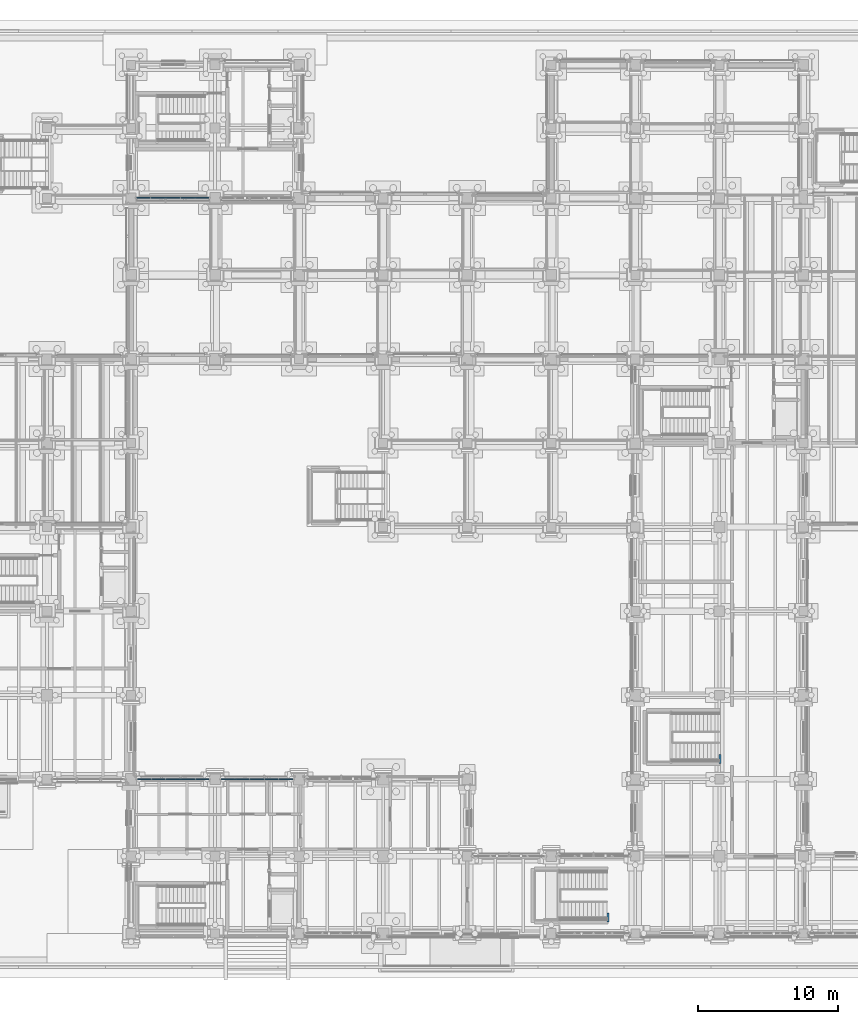
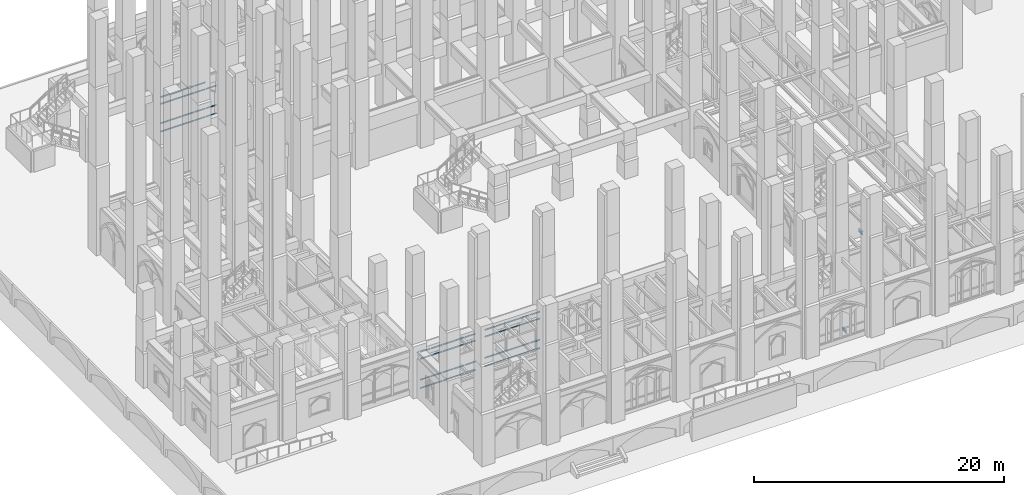
# One storey, part 49 of 135: 59 members, 2 beams, 3 elements without a shape of their own.
"""IFC4 building model written with IfcOpenShell, lengths in metres."""

import ifcopenshell
import ifcopenshell.guid

model = None  # the IFC model being written
_history = None  # IfcOwnerHistory: only IFC2X3 demands one
_inside = {}  # id of a spatial element -> (the spatial element, [elements in it])
_under = {}  # id of a project, library or spatial element -> (it, [spatial elements below it])
_declared = {}  # id of a project -> (the project, [libraries it declares])
_typed = {}  # id of a type object -> (the type object, [elements of that type])
_made_of = {}  # id of a material, layer set ... -> (it, [elements and type objects made of it])


def new_model(schema):
    """Start an empty IFC model of exactly this schema.

    Asked for "IFC4X3", IfcOpenShell would pick the latest addendum, in which some entities
    have other attributes; the version numbers below select the first issue.
    IFC2X3 requires an IfcOwnerHistory on every rooted entity: one is made here for all.
    """
    global model, _history
    if schema == "IFC4X3":
        model = ifcopenshell.file(schema_version=(4, 3, 0, 0))
    else:
        model = ifcopenshell.file(schema=schema)
    _inside.clear()
    _under.clear()
    _declared.clear()
    _typed.clear()
    _made_of.clear()
    _history = None
    if model.schema == "IFC2X3":
        org = make("IfcOrganization", Name="unknown")
        user = make(
            "IfcPersonAndOrganization",
            ThePerson=make("IfcPerson", FamilyName="unknown"),
            TheOrganization=org,
        )
        app = make(
            "IfcApplication",
            ApplicationDeveloper=org,
            Version="unknown",
            ApplicationFullName="unknown",
            ApplicationIdentifier="unknown",
        )
        _history = make(
            "IfcOwnerHistory",
            OwningUser=user,
            OwningApplication=app,
            ChangeAction="ADDED",
            CreationDate=0,
        )
    return model


def make(cls, **values):
    """One entity of the class cls with the attributes given. An attribute that is None is left unset."""
    return model.create_entity(
        cls, **{name: value for name, value in values.items() if value is not None}
    )


def rooted(cls, **values):
    """An entity with a GlobalId (a new one), such as an element, a storey or a relation."""
    return make(cls, GlobalId=ifcopenshell.guid.new(), OwnerHistory=_history, **values)


def si_unit(unit_type, name, prefix=None):
    """IfcSIUnit, for example si_unit("LENGTHUNIT", "METRE", prefix="MILLI")."""
    return make("IfcSIUnit", UnitType=unit_type, Prefix=prefix, Name=name)


def assignment(units):
    """IfcUnitAssignment: the units of a project."""
    return None if units is None else make("IfcUnitAssignment", Units=units)


def point(xyz):
    """IfcCartesianPoint."""
    return None if xyz is None else make("IfcCartesianPoint", Coordinates=xyz)


def direction(xyz):
    """IfcDirection."""
    return None if xyz is None else make("IfcDirection", DirectionRatios=xyz)


def frame(location, z_axis=None, x_axis=None):
    """IfcAxis2Placement3D, a coordinate frame: its origin and axes. An axis left out is left unset."""
    return make(
        "IfcAxis2Placement3D",
        Location=point(location),
        Axis=direction(z_axis),
        RefDirection=direction(x_axis),
    )


def frame_2d(location, x_axis=None):
    """IfcAxis2Placement2D, a coordinate frame in the plane: its origin and x axis."""
    return make(
        "IfcAxis2Placement2D", Location=point(location), RefDirection=direction(x_axis)
    )


def origin():
    """The frame at (0, 0, 0) with its axes left unset."""
    return frame((0.0, 0.0, 0.0))


def origin_2d():
    """The frame at (0, 0) in the plane with its x axis left unset."""
    return frame_2d((0.0, 0.0))


def place(relative_to, where):
    """IfcLocalPlacement: puts the frame where relative to a parent placement (None: the world)."""
    return make(
        "IfcLocalPlacement", PlacementRelTo=relative_to, RelativePlacement=where
    )


def context(
    kind, dimensions, precision=None, world=None, true_north=None, identifier=None
):
    """IfcGeometricRepresentationContext, for example the 3D "Model" context."""
    return make(
        "IfcGeometricRepresentationContext",
        ContextIdentifier=identifier,
        ContextType=kind,
        CoordinateSpaceDimension=dimensions,
        Precision=precision,
        WorldCoordinateSystem=world,
        TrueNorth=true_north,
    )


def subcontext(parent, identifier, kind, view, scale=None):
    """IfcGeometricRepresentationSubContext, for example "Body" below "Model"."""
    return make(
        "IfcGeometricRepresentationSubContext",
        ContextIdentifier=identifier,
        ContextType=kind,
        ParentContext=parent,
        TargetScale=scale,
        TargetView=view,
    )


def project(units=None, contexts=None):
    """IfcProject with its units and contexts."""
    return rooted(
        "IfcProject",
        Name="project",
        RepresentationContexts=contexts,
        UnitsInContext=assignment(units),
    )


def spatial(cls, under=None, at=None, **own):
    """A site, building, storey or space (cls), placed at a placement, below another one or the project."""
    s = rooted(cls, ObjectPlacement=at, **own)
    if under is not None:
        _under.setdefault(under.id(), (under, []))[1].append(s)
    return s


def profile(cls, at=None, kind="AREA", **sizes):
    """A parametric profile (cls). Its sizes go by their IFC names, for example OverallWidth=200.0."""
    return make(cls, ProfileType=kind, Position=at, **sizes)


def hollow_rectangle(**sizes):
    """IfcRectangleHollowProfileDef."""
    return profile("IfcRectangleHollowProfileDef", **sizes)


def i_section(**sizes):
    """IfcIShapeProfileDef."""
    return profile("IfcIShapeProfileDef", **sizes)


def extrude(swept, where, along, depth):
    """IfcExtrudedAreaSolid: the profile swept, set in the frame where, extruded along a direction by depth."""
    return make(
        "IfcExtrudedAreaSolid",
        SweptArea=swept,
        Position=where,
        ExtrudedDirection=direction(along),
        Depth=depth,
    )


def shape(context_of_items, identifier, shape_type, items):
    """IfcShapeRepresentation: the items that make up one representation, for example the "Body"."""
    return make(
        "IfcShapeRepresentation",
        ContextOfItems=context_of_items,
        RepresentationIdentifier=identifier,
        RepresentationType=shape_type,
        Items=items,
    )


def material(Name=None, Category=None):
    """IfcMaterial."""
    return make("IfcMaterial", Name=Name, Category=Category)


def layer(
    of_material, thickness, ventilated=None, Name=None, Category=None, Priority=None
):
    """IfcMaterialLayer: one layer of a wall or slab, of a material (None: an air gap)."""
    return make(
        "IfcMaterialLayer",
        Material=of_material,
        LayerThickness=thickness,
        IsVentilated=ventilated,
        Name=Name,
        Category=Category,
        Priority=Priority,
    )


def layer_set(layers, Name=None):
    """IfcMaterialLayerSet."""
    return make("IfcMaterialLayerSet", MaterialLayers=layers, LayerSetName=Name)


def material_profile(
    of_material, cross_section, Name=None, Category=None, Priority=None
):
    """IfcMaterialProfile: a cross section and its material."""
    return make(
        "IfcMaterialProfile",
        Name=Name,
        Material=of_material,
        Profile=cross_section,
        Priority=Priority,
        Category=Category,
    )


def profile_set(profiles, Name=None, composite=None):
    """IfcMaterialProfileSet."""
    return make(
        "IfcMaterialProfileSet",
        Name=Name,
        MaterialProfiles=profiles,
        CompositeProfile=composite,
    )


def made_of(thing, what):
    """Note that an element or type object is made of a material, layer set ...; save() writes the relation."""
    if what is not None:
        _made_of.setdefault(what.id(), (what, []))[1].append(thing)
    return thing


def type_object(cls, material=None, **own):
    """A type object (cls), such as IfcWallType, which elements share."""
    return made_of(rooted(cls, **own), material)


def element(
    cls,
    number,
    at=None,
    inside=None,
    cuts=None,
    type_object=None,
    material=None,
    context=None,
    identifier="Body",
    shape_type=None,
    held_by="IfcProductDefinitionShape",
    body=None,
    shapes=None,
    **own,
):
    """One element of the class cls, such as IfcWall. Its Tag is "e" and its number.

    at: its placement. inside: the storey or other place that contains it. cuts: it is an
    opening in that element (IfcRelVoidsElement). A single representation is given by context,
    identifier, shape_type and body (its items); several are given by shapes. held_by: the class
    of the entity that holds the representations. save() writes the other relations.
    """
    e = rooted(cls, Tag="e%d" % number, ObjectPlacement=at, **own)
    if body is not None:
        shapes = [shape(context, identifier, shape_type, body)]
    if shapes is not None:
        e.Representation = make(held_by, Representations=shapes)
    if inside is not None:
        _inside.setdefault(inside.id(), (inside, []))[1].append(e)
    if cuts is not None:
        rooted(
            "IfcRelVoidsElement", RelatingBuildingElement=cuts, RelatedOpeningElement=e
        )
    if type_object is not None:
        _typed.setdefault(type_object.id(), (type_object, []))[1].append(e)
    return made_of(e, material)


def aggregate(whole, parts):
    """IfcRelAggregates: a whole, such as a stair, and the parts it consists of."""
    return rooted("IfcRelAggregates", RelatingObject=whole, RelatedObjects=parts)


def save(model, path):
    """Write the relations noted so far, then the file.

    IfcRelAggregates (storeys below a building ...), IfcRelContainedInSpatialStructure (elements
    in a storey), IfcRelDefinesByType, IfcRelAssociatesMaterial and IfcRelDeclares: one each for
    every whole, place, type object, material and project.
    """
    for whole, parts in _under.values():
        aggregate(whole, parts)
    for where, things in _inside.values():
        rooted(
            "IfcRelContainedInSpatialStructure",
            RelatedElements=things,
            RelatingStructure=where,
        )
    for kind, things in _typed.values():
        rooted("IfcRelDefinesByType", RelatedObjects=things, RelatingType=kind)
    for what, things in _made_of.values():
        rooted("IfcRelAssociatesMaterial", RelatedObjects=things, RelatingMaterial=what)
    for by, libraries in _declared.values():
        rooted("IfcRelDeclares", RelatingContext=by, RelatedDefinitions=libraries)
    model.write(path)


model = new_model("IFC4")

# Units and contexts
model_context = context("Model", 3, precision=1e-05, world=origin(), true_north=direction((0.0, 1.0)))
body_context = subcontext(model_context, "Body", "Model", "MODEL_VIEW")
ifc_project = project(units=[si_unit("LENGTHUNIT", "METRE"), si_unit("AREAUNIT", "SQUARE_METRE"), si_unit("VOLUMEUNIT", "CUBIC_METRE"), si_unit("PLANEANGLEUNIT", "RADIAN"), si_unit("MASSUNIT", "GRAM", prefix="KILO")], contexts=[model_context])

# Site, building, storey
site_placement = place(None, origin())
site = spatial("IfcSite", under=ifc_project, at=site_placement, CompositionType="ELEMENT")
building_placement = place(site_placement, origin())
building = spatial("IfcBuilding", under=site, at=building_placement, Name="Cumevento Cable Car Station", CompositionType="ELEMENT")
storey_placement = place(building_placement, origin())
storey = spatial("IfcBuildingStorey", under=building, at=storey_placement, Name="L01", CompositionType="ELEMENT", Elevation=0.0)

# Curtain wall, members
ifc_material_1 = material(Name="Anodised Bronze Aluminium AW-6063-T6", Category="aluminium")
ifc_layer_1 = layer(ifc_material_1, 0.166015625)
ifc_layer_set_1 = layer_set([ifc_layer_1], Name="Anodised Bronze Aluminium AW-6063-T6")
curtain_wall_type_1 = type_object("IfcCurtainWallType", Name="Lancet Curtain Wall CW-02 1090", PredefinedType="NOTDEFINED", material=ifc_layer_set_1)
curtain_wall_1_placement = place(storey_placement, origin())
curtain_wall_1 = element("IfcCurtainWall", 1, at=curtain_wall_1_placement, inside=storey, type_object=curtain_wall_type_1, Name="Lancet Curtain Wall CW-02 L01 #1", PredefinedType="NOTDEFINED")
ifc_material_2 = material(Name="Anodised Bronze Aluminium AW-6063-T6", Category="aluminium")
ifc_material_profile_1 = material_profile(ifc_material_2, hollow_rectangle(XDim=0.06494140625, YDim=0.1201171875, WallThickness=0.00390625, at=origin_2d()), Name="ALUT65x120x4")
ifc_profile_set_1 = profile_set([ifc_material_profile_1], Name="Anodised Bronze Aluminium AW-6063-T6")
member_type = type_object("IfcMemberType", Name="Curtain Transom CWT-01 ALUT65x120x4", PredefinedType="USERDEFINED", material=ifc_profile_set_1)
member_1_placement = place(storey_placement, frame((22.465087890625, 15.0, 0.242431640625), z_axis=(1.0, 0.0, 0.0), x_axis=(0.0, 1.0, 0.0)))
member_1 = element("IfcMember", 2, at=member_1_placement, type_object=member_type, Name="CW-02 transom 1.1", ObjectType="TRANSOM", PredefinedType="USERDEFINED", context=body_context, shape_type="SweptSolid", body=[
    extrude(hollow_rectangle(XDim=0.06494140625, YDim=0.1201171875, WallThickness=0.00390625, at=origin_2d()), origin(), (0.0, 0.0, 1.0), 0.947509765625),
])
member_2_placement = place(storey_placement, frame((22.465087890625, 15.0, 1.06005859375), z_axis=(1.0, 0.0, 0.0), x_axis=(0.0, 1.0, 0.0)))
member_2 = element("IfcMember", 3, at=member_2_placement, type_object=member_type, Name="CW-02 transom 1.2", ObjectType="TRANSOM", PredefinedType="USERDEFINED", context=body_context, shape_type="SweptSolid", body=[
    extrude(hollow_rectangle(XDim=0.06494140625, YDim=0.1201171875, WallThickness=0.00390625, at=origin_2d()), origin(), (0.0, 0.0, 1.0), 0.947509765625),
])
member_3_placement = place(storey_placement, frame((22.465087890625, 15.0, 3.10888671875), z_axis=(1.0, 0.0, 0.0), x_axis=(0.0, 1.0, 0.0)))
member_3 = element("IfcMember", 4, at=member_3_placement, type_object=member_type, Name="CW-02 transom 1.3", ObjectType="TRANSOM", PredefinedType="USERDEFINED", context=body_context, shape_type="SweptSolid", body=[
    extrude(hollow_rectangle(XDim=0.06494140625, YDim=0.1201171875, WallThickness=0.00390625, at=origin_2d()), origin(), (0.0, 0.0, 1.0), 0.947509765625),
])
member_4_placement = place(storey_placement, frame((22.465087890625, 15.0, 3.776611328125), z_axis=(1.0, 0.0, 0.0), x_axis=(0.0, 1.0, 0.0)))
member_4 = element("IfcMember", 5, at=member_4_placement, type_object=member_type, Name="CW-02 transom 1.4", ObjectType="TRANSOM", PredefinedType="USERDEFINED", context=body_context, shape_type="SweptSolid", body=[
    extrude(hollow_rectangle(XDim=0.06494140625, YDim=0.1201171875, WallThickness=0.00390625, at=origin_2d()), origin(), (0.0, 0.0, 1.0), 0.947509765625),
])
member_5_placement = place(storey_placement, frame((23.4775390625, 15.0, 0.242431640625), z_axis=(1.0, 0.0, 0.0), x_axis=(0.0, 1.0, 0.0)))
member_5 = element("IfcMember", 6, at=member_5_placement, type_object=member_type, Name="CW-02 transom 2.1", ObjectType="TRANSOM", PredefinedType="USERDEFINED", context=body_context, shape_type="SweptSolid", body=[
    extrude(hollow_rectangle(XDim=0.06494140625, YDim=0.1201171875, WallThickness=0.00390625, at=origin_2d()), origin(), (0.0, 0.0, 1.0), 0.97998046875),
])
member_6_placement = place(storey_placement, frame((23.4775390625, 15.0, 1.06005859375), z_axis=(1.0, 0.0, 0.0), x_axis=(0.0, 1.0, 0.0)))
member_6 = element("IfcMember", 7, at=member_6_placement, type_object=member_type, Name="CW-02 transom 2.2", ObjectType="TRANSOM", PredefinedType="USERDEFINED", context=body_context, shape_type="SweptSolid", body=[
    extrude(hollow_rectangle(XDim=0.06494140625, YDim=0.1201171875, WallThickness=0.00390625, at=origin_2d()), origin(), (0.0, 0.0, 1.0), 0.97998046875),
])
member_7_placement = place(storey_placement, frame((23.4775390625, 15.0, 3.10888671875), z_axis=(1.0, 0.0, 0.0), x_axis=(0.0, 1.0, 0.0)))
member_7 = element("IfcMember", 8, at=member_7_placement, type_object=member_type, Name="CW-02 transom 2.3", ObjectType="TRANSOM", PredefinedType="USERDEFINED", context=body_context, shape_type="SweptSolid", body=[
    extrude(hollow_rectangle(XDim=0.06494140625, YDim=0.1201171875, WallThickness=0.00390625, at=origin_2d()), origin(), (0.0, 0.0, 1.0), 0.97998046875),
])
member_8_placement = place(storey_placement, frame((23.4775390625, 15.0, 3.776611328125), z_axis=(1.0, 0.0, 0.0), x_axis=(0.0, 1.0, 0.0)))
member_8 = element("IfcMember", 9, at=member_8_placement, type_object=member_type, Name="CW-02 transom 2.4", ObjectType="TRANSOM", PredefinedType="USERDEFINED", context=body_context, shape_type="SweptSolid", body=[
    extrude(hollow_rectangle(XDim=0.06494140625, YDim=0.1201171875, WallThickness=0.00390625, at=origin_2d()), origin(), (0.0, 0.0, 1.0), 0.97998046875),
])
member_9_placement = place(storey_placement, frame((24.5224609375, 15.0, 0.242431640625), z_axis=(1.0, 0.0, 0.0), x_axis=(0.0, 1.0, 0.0)))
member_9 = element("IfcMember", 10, at=member_9_placement, type_object=member_type, Name="CW-02 transom 3.1", ObjectType="TRANSOM", PredefinedType="USERDEFINED", context=body_context, shape_type="SweptSolid", body=[
    extrude(hollow_rectangle(XDim=0.06494140625, YDim=0.1201171875, WallThickness=0.00390625, at=origin_2d()), origin(), (0.0, 0.0, 1.0), 0.97998046875),
])
member_10_placement = place(storey_placement, frame((24.5224609375, 15.0, 1.06005859375), z_axis=(1.0, 0.0, 0.0), x_axis=(0.0, 1.0, 0.0)))
member_10 = element("IfcMember", 11, at=member_10_placement, type_object=member_type, Name="CW-02 transom 3.2", ObjectType="TRANSOM", PredefinedType="USERDEFINED", context=body_context, shape_type="SweptSolid", body=[
    extrude(hollow_rectangle(XDim=0.06494140625, YDim=0.1201171875, WallThickness=0.00390625, at=origin_2d()), origin(), (0.0, 0.0, 1.0), 0.97998046875),
])
member_11_placement = place(storey_placement, frame((24.5224609375, 15.0, 3.10888671875), z_axis=(1.0, 0.0, 0.0), x_axis=(0.0, 1.0, 0.0)))
member_11 = element("IfcMember", 12, at=member_11_placement, type_object=member_type, Name="CW-02 transom 3.3", ObjectType="TRANSOM", PredefinedType="USERDEFINED", context=body_context, shape_type="SweptSolid", body=[
    extrude(hollow_rectangle(XDim=0.06494140625, YDim=0.1201171875, WallThickness=0.00390625, at=origin_2d()), origin(), (0.0, 0.0, 1.0), 0.97998046875),
])
member_12_placement = place(storey_placement, frame((24.5224609375, 15.0, 3.776611328125), z_axis=(1.0, 0.0, 0.0), x_axis=(0.0, 1.0, 0.0)))
member_12 = element("IfcMember", 13, at=member_12_placement, type_object=member_type, Name="CW-02 transom 3.4", ObjectType="TRANSOM", PredefinedType="USERDEFINED", context=body_context, shape_type="SweptSolid", body=[
    extrude(hollow_rectangle(XDim=0.06494140625, YDim=0.1201171875, WallThickness=0.00390625, at=origin_2d()), origin(), (0.0, 0.0, 1.0), 0.97998046875),
])
member_13_placement = place(storey_placement, frame((25.5673828125, 15.0, 0.242431640625), z_axis=(1.0, 0.0, 0.0), x_axis=(0.0, 1.0, 0.0)))
member_13 = element("IfcMember", 14, at=member_13_placement, type_object=member_type, Name="CW-02 transom 4.1", ObjectType="TRANSOM", PredefinedType="USERDEFINED", context=body_context, shape_type="SweptSolid", body=[
    extrude(hollow_rectangle(XDim=0.06494140625, YDim=0.1201171875, WallThickness=0.00390625, at=origin_2d()), origin(), (0.0, 0.0, 1.0), 0.980224609375),
])
member_14_placement = place(storey_placement, frame((25.5673828125, 15.0, 1.06005859375), z_axis=(1.0, 0.0, 0.0), x_axis=(0.0, 1.0, 0.0)))
member_14 = element("IfcMember", 15, at=member_14_placement, type_object=member_type, Name="CW-02 transom 4.2", ObjectType="TRANSOM", PredefinedType="USERDEFINED", context=body_context, shape_type="SweptSolid", body=[
    extrude(hollow_rectangle(XDim=0.06494140625, YDim=0.1201171875, WallThickness=0.00390625, at=origin_2d()), origin(), (0.0, 0.0, 1.0), 0.980224609375),
])
member_15_placement = place(storey_placement, frame((25.5673828125, 15.0, 3.10888671875), z_axis=(1.0, 0.0, 0.0), x_axis=(0.0, 1.0, 0.0)))
member_15 = element("IfcMember", 16, at=member_15_placement, type_object=member_type, Name="CW-02 transom 4.3", ObjectType="TRANSOM", PredefinedType="USERDEFINED", context=body_context, shape_type="SweptSolid", body=[
    extrude(hollow_rectangle(XDim=0.06494140625, YDim=0.1201171875, WallThickness=0.00390625, at=origin_2d()), origin(), (0.0, 0.0, 1.0), 0.980224609375),
])
member_16_placement = place(storey_placement, frame((25.5673828125, 15.0, 3.776611328125), z_axis=(1.0, 0.0, 0.0), x_axis=(0.0, 1.0, 0.0)))
member_16 = element("IfcMember", 17, at=member_16_placement, type_object=member_type, Name="CW-02 transom 4.4", ObjectType="TRANSOM", PredefinedType="USERDEFINED", context=body_context, shape_type="SweptSolid", body=[
    extrude(hollow_rectangle(XDim=0.06494140625, YDim=0.1201171875, WallThickness=0.00390625, at=origin_2d()), origin(), (0.0, 0.0, 1.0), 0.980224609375),
])
member_17_placement = place(storey_placement, frame((26.612548828125, 15.0, 0.242431640625), z_axis=(1.0, 0.0, 0.0), x_axis=(0.0, 1.0, 0.0)))
member_17 = element("IfcMember", 18, at=member_17_placement, type_object=member_type, Name="CW-02 transom 5.1", ObjectType="TRANSOM", PredefinedType="USERDEFINED", context=body_context, shape_type="SweptSolid", body=[
    extrude(hollow_rectangle(XDim=0.06494140625, YDim=0.1201171875, WallThickness=0.00390625, at=origin_2d()), origin(), (0.0, 0.0, 1.0), 0.947509765625),
])
member_18_placement = place(storey_placement, frame((26.612548828125, 15.0, 1.06005859375), z_axis=(1.0, 0.0, 0.0), x_axis=(0.0, 1.0, 0.0)))
member_18 = element("IfcMember", 19, at=member_18_placement, type_object=member_type, Name="CW-02 transom 5.2", ObjectType="TRANSOM", PredefinedType="USERDEFINED", context=body_context, shape_type="SweptSolid", body=[
    extrude(hollow_rectangle(XDim=0.06494140625, YDim=0.1201171875, WallThickness=0.00390625, at=origin_2d()), origin(), (0.0, 0.0, 1.0), 0.947509765625),
])
member_19_placement = place(storey_placement, frame((26.612548828125, 15.0, 3.10888671875), z_axis=(1.0, 0.0, 0.0), x_axis=(0.0, 1.0, 0.0)))
member_19 = element("IfcMember", 20, at=member_19_placement, type_object=member_type, Name="CW-02 transom 5.3", ObjectType="TRANSOM", PredefinedType="USERDEFINED", context=body_context, shape_type="SweptSolid", body=[
    extrude(hollow_rectangle(XDim=0.06494140625, YDim=0.1201171875, WallThickness=0.00390625, at=origin_2d()), origin(), (0.0, 0.0, 1.0), 0.947509765625),
])
member_20_placement = place(storey_placement, frame((26.612548828125, 15.0, 3.776611328125), z_axis=(1.0, 0.0, 0.0), x_axis=(0.0, 1.0, 0.0)))
member_20 = element("IfcMember", 21, at=member_20_placement, type_object=member_type, Name="CW-02 transom 5.4", ObjectType="TRANSOM", PredefinedType="USERDEFINED", context=body_context, shape_type="SweptSolid", body=[
    extrude(hollow_rectangle(XDim=0.06494140625, YDim=0.1201171875, WallThickness=0.00390625, at=origin_2d()), origin(), (0.0, 0.0, 1.0), 0.947509765625),
])
aggregate(curtain_wall_1, [member_1, member_2, member_3, member_4, member_5, member_6, member_7, member_8, member_9, member_10, member_11, member_12, member_13, member_14, member_15, member_16, member_17, member_18, member_19, member_20])

ifc_material_3 = material(Name="Anodised Bronze Aluminium AW-6063-T6", Category="aluminium")
ifc_layer_2 = layer(ifc_material_3, 0.172119140625)
ifc_layer_set_2 = layer_set([ifc_layer_2], Name="Anodised Bronze Aluminium AW-6063-T6")
curtain_wall_type_2 = type_object("IfcCurtainWallType", Name="Lancet Curtain Wall CW-03 1130", PredefinedType="NOTDEFINED", material=ifc_layer_set_2)
curtain_wall_2_placement = place(storey_placement, origin())
curtain_wall_2 = element("IfcCurtainWall", 22, at=curtain_wall_2_placement, inside=storey, type_object=curtain_wall_type_2, Name="Lancet Curtain Wall CW-03 L01 #2", PredefinedType="NOTDEFINED")
member_21_placement = place(storey_placement, frame((28.43994140625, 15.0, 0.29248046875), z_axis=(1.0, 0.0, 0.0), x_axis=(0.0, 1.0, 0.0)))
member_21 = element("IfcMember", 23, at=member_21_placement, type_object=member_type, Name="CW-03 transom 1.1", ObjectType="TRANSOM", PredefinedType="USERDEFINED", context=body_context, shape_type="SweptSolid", body=[
    extrude(hollow_rectangle(XDim=0.06494140625, YDim=0.1201171875, WallThickness=0.00390625, at=origin_2d()), origin(), (0.0, 0.0, 1.0), 0.947509765625),
])
member_22_placement = place(storey_placement, frame((28.43994140625, 15.0, 1.110107421875), z_axis=(1.0, 0.0, 0.0), x_axis=(0.0, 1.0, 0.0)))
member_22 = element("IfcMember", 24, at=member_22_placement, type_object=member_type, Name="CW-03 transom 1.2", ObjectType="TRANSOM", PredefinedType="USERDEFINED", context=body_context, shape_type="SweptSolid", body=[
    extrude(hollow_rectangle(XDim=0.06494140625, YDim=0.1201171875, WallThickness=0.00390625, at=origin_2d()), origin(), (0.0, 0.0, 1.0), 0.947509765625),
])
member_23_placement = place(storey_placement, frame((28.43994140625, 15.0, 3.180908203125), z_axis=(1.0, 0.0, 0.0), x_axis=(0.0, 1.0, 0.0)))
member_23 = element("IfcMember", 25, at=member_23_placement, type_object=member_type, Name="CW-03 transom 1.3", ObjectType="TRANSOM", PredefinedType="USERDEFINED", context=body_context, shape_type="SweptSolid", body=[
    extrude(hollow_rectangle(XDim=0.06494140625, YDim=0.1201171875, WallThickness=0.00390625, at=origin_2d()), origin(), (0.0, 0.0, 1.0), 0.947509765625),
])
member_24_placement = place(storey_placement, frame((28.43994140625, 15.0, 3.848388671875), z_axis=(1.0, 0.0, 0.0), x_axis=(0.0, 1.0, 0.0)))
member_24 = element("IfcMember", 26, at=member_24_placement, type_object=member_type, Name="CW-03 transom 1.4", ObjectType="TRANSOM", PredefinedType="USERDEFINED", context=body_context, shape_type="SweptSolid", body=[
    extrude(hollow_rectangle(XDim=0.06494140625, YDim=0.1201171875, WallThickness=0.00390625, at=origin_2d()), origin(), (0.0, 0.0, 1.0), 0.947509765625),
])
member_25_placement = place(storey_placement, frame((29.452392578125, 15.0, 0.29248046875), z_axis=(1.0, 0.0, 0.0), x_axis=(0.0, 1.0, 0.0)))
member_25 = element("IfcMember", 27, at=member_25_placement, type_object=member_type, Name="CW-03 transom 2.1", ObjectType="TRANSOM", PredefinedType="USERDEFINED", context=body_context, shape_type="SweptSolid", body=[
    extrude(hollow_rectangle(XDim=0.06494140625, YDim=0.1201171875, WallThickness=0.00390625, at=origin_2d()), origin(), (0.0, 0.0, 1.0), 0.980224609375),
])
member_26_placement = place(storey_placement, frame((29.452392578125, 15.0, 1.110107421875), z_axis=(1.0, 0.0, 0.0), x_axis=(0.0, 1.0, 0.0)))
member_26 = element("IfcMember", 28, at=member_26_placement, type_object=member_type, Name="CW-03 transom 2.2", ObjectType="TRANSOM", PredefinedType="USERDEFINED", context=body_context, shape_type="SweptSolid", body=[
    extrude(hollow_rectangle(XDim=0.06494140625, YDim=0.1201171875, WallThickness=0.00390625, at=origin_2d()), origin(), (0.0, 0.0, 1.0), 0.980224609375),
])
member_27_placement = place(storey_placement, frame((29.452392578125, 15.0, 3.180908203125), z_axis=(1.0, 0.0, 0.0), x_axis=(0.0, 1.0, 0.0)))
member_27 = element("IfcMember", 29, at=member_27_placement, type_object=member_type, Name="CW-03 transom 2.3", ObjectType="TRANSOM", PredefinedType="USERDEFINED", context=body_context, shape_type="SweptSolid", body=[
    extrude(hollow_rectangle(XDim=0.06494140625, YDim=0.1201171875, WallThickness=0.00390625, at=origin_2d()), origin(), (0.0, 0.0, 1.0), 0.980224609375),
])
member_28_placement = place(storey_placement, frame((29.452392578125, 15.0, 3.848388671875), z_axis=(1.0, 0.0, 0.0), x_axis=(0.0, 1.0, 0.0)))
member_28 = element("IfcMember", 30, at=member_28_placement, type_object=member_type, Name="CW-03 transom 2.4", ObjectType="TRANSOM", PredefinedType="USERDEFINED", context=body_context, shape_type="SweptSolid", body=[
    extrude(hollow_rectangle(XDim=0.06494140625, YDim=0.1201171875, WallThickness=0.00390625, at=origin_2d()), origin(), (0.0, 0.0, 1.0), 0.980224609375),
])
member_29_placement = place(storey_placement, frame((30.49755859375, 15.0, 0.29248046875), z_axis=(1.0, 0.0, 0.0), x_axis=(0.0, 1.0, 0.0)))
member_29 = element("IfcMember", 31, at=member_29_placement, type_object=member_type, Name="CW-03 transom 3.1", ObjectType="TRANSOM", PredefinedType="USERDEFINED", context=body_context, shape_type="SweptSolid", body=[
    extrude(hollow_rectangle(XDim=0.06494140625, YDim=0.1201171875, WallThickness=0.00390625, at=origin_2d()), origin(), (0.0, 0.0, 1.0), 0.97998046875),
])
member_30_placement = place(storey_placement, frame((30.49755859375, 15.0, 1.110107421875), z_axis=(1.0, 0.0, 0.0), x_axis=(0.0, 1.0, 0.0)))
member_30 = element("IfcMember", 32, at=member_30_placement, type_object=member_type, Name="CW-03 transom 3.2", ObjectType="TRANSOM", PredefinedType="USERDEFINED", context=body_context, shape_type="SweptSolid", body=[
    extrude(hollow_rectangle(XDim=0.06494140625, YDim=0.1201171875, WallThickness=0.00390625, at=origin_2d()), origin(), (0.0, 0.0, 1.0), 0.97998046875),
])
member_31_placement = place(storey_placement, frame((30.49755859375, 15.0, 3.180908203125), z_axis=(1.0, 0.0, 0.0), x_axis=(0.0, 1.0, 0.0)))
member_31 = element("IfcMember", 33, at=member_31_placement, type_object=member_type, Name="CW-03 transom 3.3", ObjectType="TRANSOM", PredefinedType="USERDEFINED", context=body_context, shape_type="SweptSolid", body=[
    extrude(hollow_rectangle(XDim=0.06494140625, YDim=0.1201171875, WallThickness=0.00390625, at=origin_2d()), origin(), (0.0, 0.0, 1.0), 0.97998046875),
])
member_32_placement = place(storey_placement, frame((30.49755859375, 15.0, 3.848388671875), z_axis=(1.0, 0.0, 0.0), x_axis=(0.0, 1.0, 0.0)))
member_32 = element("IfcMember", 34, at=member_32_placement, type_object=member_type, Name="CW-03 transom 3.4", ObjectType="TRANSOM", PredefinedType="USERDEFINED", context=body_context, shape_type="SweptSolid", body=[
    extrude(hollow_rectangle(XDim=0.06494140625, YDim=0.1201171875, WallThickness=0.00390625, at=origin_2d()), origin(), (0.0, 0.0, 1.0), 0.97998046875),
])
member_33_placement = place(storey_placement, frame((31.54248046875, 15.0, 0.29248046875), z_axis=(1.0, 0.0, 0.0), x_axis=(0.0, 1.0, 0.0)))
member_33 = element("IfcMember", 35, at=member_33_placement, type_object=member_type, Name="CW-03 transom 4.1", ObjectType="TRANSOM", PredefinedType="USERDEFINED", context=body_context, shape_type="SweptSolid", body=[
    extrude(hollow_rectangle(XDim=0.06494140625, YDim=0.1201171875, WallThickness=0.00390625, at=origin_2d()), origin(), (0.0, 0.0, 1.0), 0.97998046875),
])
member_34_placement = place(storey_placement, frame((31.54248046875, 15.0, 1.110107421875), z_axis=(1.0, 0.0, 0.0), x_axis=(0.0, 1.0, 0.0)))
member_34 = element("IfcMember", 36, at=member_34_placement, type_object=member_type, Name="CW-03 transom 4.2", ObjectType="TRANSOM", PredefinedType="USERDEFINED", context=body_context, shape_type="SweptSolid", body=[
    extrude(hollow_rectangle(XDim=0.06494140625, YDim=0.1201171875, WallThickness=0.00390625, at=origin_2d()), origin(), (0.0, 0.0, 1.0), 0.97998046875),
])
member_35_placement = place(storey_placement, frame((31.54248046875, 15.0, 3.180908203125), z_axis=(1.0, 0.0, 0.0), x_axis=(0.0, 1.0, 0.0)))
member_35 = element("IfcMember", 37, at=member_35_placement, type_object=member_type, Name="CW-03 transom 4.3", ObjectType="TRANSOM", PredefinedType="USERDEFINED", context=body_context, shape_type="SweptSolid", body=[
    extrude(hollow_rectangle(XDim=0.06494140625, YDim=0.1201171875, WallThickness=0.00390625, at=origin_2d()), origin(), (0.0, 0.0, 1.0), 0.97998046875),
])
member_36_placement = place(storey_placement, frame((31.54248046875, 15.0, 3.848388671875), z_axis=(1.0, 0.0, 0.0), x_axis=(0.0, 1.0, 0.0)))
member_36 = element("IfcMember", 38, at=member_36_placement, type_object=member_type, Name="CW-03 transom 4.4", ObjectType="TRANSOM", PredefinedType="USERDEFINED", context=body_context, shape_type="SweptSolid", body=[
    extrude(hollow_rectangle(XDim=0.06494140625, YDim=0.1201171875, WallThickness=0.00390625, at=origin_2d()), origin(), (0.0, 0.0, 1.0), 0.97998046875),
])
member_37_placement = place(storey_placement, frame((32.58740234375, 15.0, 0.29248046875), z_axis=(1.0, 0.0, 0.0), x_axis=(0.0, 1.0, 0.0)))
member_37 = element("IfcMember", 39, at=member_37_placement, type_object=member_type, Name="CW-03 transom 5.1", ObjectType="TRANSOM", PredefinedType="USERDEFINED", context=body_context, shape_type="SweptSolid", body=[
    extrude(hollow_rectangle(XDim=0.06494140625, YDim=0.1201171875, WallThickness=0.00390625, at=origin_2d()), origin(), (0.0, 0.0, 1.0), 0.947509765625),
])
member_38_placement = place(storey_placement, frame((32.58740234375, 15.0, 1.110107421875), z_axis=(1.0, 0.0, 0.0), x_axis=(0.0, 1.0, 0.0)))
member_38 = element("IfcMember", 40, at=member_38_placement, type_object=member_type, Name="CW-03 transom 5.2", ObjectType="TRANSOM", PredefinedType="USERDEFINED", context=body_context, shape_type="SweptSolid", body=[
    extrude(hollow_rectangle(XDim=0.06494140625, YDim=0.1201171875, WallThickness=0.00390625, at=origin_2d()), origin(), (0.0, 0.0, 1.0), 0.947509765625),
])
member_39_placement = place(storey_placement, frame((32.58740234375, 15.0, 3.180908203125), z_axis=(1.0, 0.0, 0.0), x_axis=(0.0, 1.0, 0.0)))
member_39 = element("IfcMember", 41, at=member_39_placement, type_object=member_type, Name="CW-03 transom 5.3", ObjectType="TRANSOM", PredefinedType="USERDEFINED", context=body_context, shape_type="SweptSolid", body=[
    extrude(hollow_rectangle(XDim=0.06494140625, YDim=0.1201171875, WallThickness=0.00390625, at=origin_2d()), origin(), (0.0, 0.0, 1.0), 0.947509765625),
])
member_40_placement = place(storey_placement, frame((32.58740234375, 15.0, 3.848388671875), z_axis=(1.0, 0.0, 0.0), x_axis=(0.0, 1.0, 0.0)))
member_40 = element("IfcMember", 42, at=member_40_placement, type_object=member_type, Name="CW-03 transom 5.4", ObjectType="TRANSOM", PredefinedType="USERDEFINED", context=body_context, shape_type="SweptSolid", body=[
    extrude(hollow_rectangle(XDim=0.06494140625, YDim=0.1201171875, WallThickness=0.00390625, at=origin_2d()), origin(), (0.0, 0.0, 1.0), 0.947509765625),
])
aggregate(curtain_wall_2, [member_21, member_22, member_23, member_24, member_25, member_26, member_27, member_28, member_29, member_30, member_31, member_32, member_33, member_34, member_35, member_36, member_37, member_38, member_39, member_40])

ifc_material_4 = material(Name="Anodised Bronze Aluminium AW-6063-T6", Category="aluminium")
ifc_layer_3 = layer(ifc_material_4, 0.159912109375)
ifc_layer_set_3 = layer_set([ifc_layer_3], Name="Anodised Bronze Aluminium AW-6063-T6")
curtain_wall_type_3 = type_object("IfcCurtainWallType", Name="Lancet Curtain Wall CW-01 1050", PredefinedType="NOTDEFINED", material=ifc_layer_set_3)
curtain_wall_3_placement = place(storey_placement, origin())
curtain_wall_3 = element("IfcCurtainWall", 43, at=curtain_wall_3_placement, inside=storey, type_object=curtain_wall_type_3, Name="Lancet Curtain Wall CW-01 L01 #16", PredefinedType="NOTDEFINED")
member_41_placement = place(storey_placement, frame((27.56005859375, 56.5, 0.1923828125), z_axis=(-1.0, 0.0, 0.0), x_axis=(0.0, -1.0, 0.0)))
member_41 = element("IfcMember", 44, at=member_41_placement, type_object=member_type, Name="CW-01 transom 1.1", ObjectType="TRANSOM", PredefinedType="USERDEFINED", context=body_context, shape_type="SweptSolid", body=[
    extrude(hollow_rectangle(XDim=0.06494140625, YDim=0.1201171875, WallThickness=0.00390625, at=origin_2d()), origin(), (0.0, 0.0, 1.0), 0.95751953125),
])
member_42_placement = place(storey_placement, frame((27.56005859375, 56.5, 1.010009765625), z_axis=(-1.0, 0.0, 0.0), x_axis=(0.0, -1.0, 0.0)))
member_42 = element("IfcMember", 45, at=member_42_placement, type_object=member_type, Name="CW-01 transom 1.2", ObjectType="TRANSOM", PredefinedType="USERDEFINED", context=body_context, shape_type="SweptSolid", body=[
    extrude(hollow_rectangle(XDim=0.06494140625, YDim=0.1201171875, WallThickness=0.00390625, at=origin_2d()), origin(), (0.0, 0.0, 1.0), 0.95751953125),
])
member_43_placement = place(storey_placement, frame((27.56005859375, 56.5, 2.89990234375), z_axis=(-1.0, 0.0, 0.0), x_axis=(0.0, -1.0, 0.0)))
member_43 = element("IfcMember", 46, at=member_43_placement, type_object=member_type, Name="CW-01 transom 1.3", ObjectType="TRANSOM", PredefinedType="USERDEFINED", context=body_context, shape_type="SweptSolid", body=[
    extrude(hollow_rectangle(XDim=0.06494140625, YDim=0.1201171875, WallThickness=0.00390625, at=origin_2d()), origin(), (0.0, 0.0, 1.0), 0.95751953125),
])
member_44_placement = place(storey_placement, frame((26.53759765625, 56.5, 0.1923828125), z_axis=(-1.0, 0.0, 0.0), x_axis=(0.0, -1.0, 0.0)))
member_44 = element("IfcMember", 47, at=member_44_placement, type_object=member_type, Name="CW-01 transom 2.1", ObjectType="TRANSOM", PredefinedType="USERDEFINED", context=body_context, shape_type="SweptSolid", body=[
    extrude(hollow_rectangle(XDim=0.06494140625, YDim=0.1201171875, WallThickness=0.00390625, at=origin_2d()), origin(), (0.0, 0.0, 1.0), 0.989990234375),
])
member_45_placement = place(storey_placement, frame((26.53759765625, 56.5, 1.010009765625), z_axis=(-1.0, 0.0, 0.0), x_axis=(0.0, -1.0, 0.0)))
member_45 = element("IfcMember", 48, at=member_45_placement, type_object=member_type, Name="CW-01 transom 2.2", ObjectType="TRANSOM", PredefinedType="USERDEFINED", context=body_context, shape_type="SweptSolid", body=[
    extrude(hollow_rectangle(XDim=0.06494140625, YDim=0.1201171875, WallThickness=0.00390625, at=origin_2d()), origin(), (0.0, 0.0, 1.0), 0.989990234375),
])
member_46_placement = place(storey_placement, frame((26.53759765625, 56.5, 2.89990234375), z_axis=(-1.0, 0.0, 0.0), x_axis=(0.0, -1.0, 0.0)))
member_46 = element("IfcMember", 49, at=member_46_placement, type_object=member_type, Name="CW-01 transom 2.3", ObjectType="TRANSOM", PredefinedType="USERDEFINED", context=body_context, shape_type="SweptSolid", body=[
    extrude(hollow_rectangle(XDim=0.06494140625, YDim=0.1201171875, WallThickness=0.00390625, at=origin_2d()), origin(), (0.0, 0.0, 1.0), 0.989990234375),
])
member_47_placement = place(storey_placement, frame((26.53759765625, 56.5, 3.5673828125), z_axis=(-1.0, 0.0, 0.0), x_axis=(0.0, -1.0, 0.0)))
member_47 = element("IfcMember", 50, at=member_47_placement, type_object=member_type, Name="CW-01 transom 2.4", ObjectType="TRANSOM", PredefinedType="USERDEFINED", context=body_context, shape_type="SweptSolid", body=[
    extrude(hollow_rectangle(XDim=0.06494140625, YDim=0.1201171875, WallThickness=0.00390625, at=origin_2d()), origin(), (0.0, 0.0, 1.0), 0.989990234375),
])
member_48_placement = place(storey_placement, frame((25.482421875, 56.5, 0.1923828125), z_axis=(-1.0, 0.0, 0.0), x_axis=(0.0, -1.0, 0.0)))
member_48 = element("IfcMember", 51, at=member_48_placement, type_object=member_type, Name="CW-01 transom 3.1", ObjectType="TRANSOM", PredefinedType="USERDEFINED", context=body_context, shape_type="SweptSolid", body=[
    extrude(hollow_rectangle(XDim=0.06494140625, YDim=0.1201171875, WallThickness=0.00390625, at=origin_2d()), origin(), (0.0, 0.0, 1.0), 0.989990234375),
])
member_49_placement = place(storey_placement, frame((25.482421875, 56.5, 1.010009765625), z_axis=(-1.0, 0.0, 0.0), x_axis=(0.0, -1.0, 0.0)))
member_49 = element("IfcMember", 52, at=member_49_placement, type_object=member_type, Name="CW-01 transom 3.2", ObjectType="TRANSOM", PredefinedType="USERDEFINED", context=body_context, shape_type="SweptSolid", body=[
    extrude(hollow_rectangle(XDim=0.06494140625, YDim=0.1201171875, WallThickness=0.00390625, at=origin_2d()), origin(), (0.0, 0.0, 1.0), 0.989990234375),
])
member_50_placement = place(storey_placement, frame((25.482421875, 56.5, 2.89990234375), z_axis=(-1.0, 0.0, 0.0), x_axis=(0.0, -1.0, 0.0)))
member_50 = element("IfcMember", 53, at=member_50_placement, type_object=member_type, Name="CW-01 transom 3.3", ObjectType="TRANSOM", PredefinedType="USERDEFINED", context=body_context, shape_type="SweptSolid", body=[
    extrude(hollow_rectangle(XDim=0.06494140625, YDim=0.1201171875, WallThickness=0.00390625, at=origin_2d()), origin(), (0.0, 0.0, 1.0), 0.989990234375),
])
member_51_placement = place(storey_placement, frame((25.482421875, 56.5, 3.5673828125), z_axis=(-1.0, 0.0, 0.0), x_axis=(0.0, -1.0, 0.0)))
member_51 = element("IfcMember", 54, at=member_51_placement, type_object=member_type, Name="CW-01 transom 3.4", ObjectType="TRANSOM", PredefinedType="USERDEFINED", context=body_context, shape_type="SweptSolid", body=[
    extrude(hollow_rectangle(XDim=0.06494140625, YDim=0.1201171875, WallThickness=0.00390625, at=origin_2d()), origin(), (0.0, 0.0, 1.0), 0.989990234375),
])
member_52_placement = place(storey_placement, frame((24.427490234375, 56.5, 0.1923828125), z_axis=(-1.0, 0.0, 0.0), x_axis=(0.0, -1.0, 0.0)))
member_52 = element("IfcMember", 55, at=member_52_placement, type_object=member_type, Name="CW-01 transom 4.1", ObjectType="TRANSOM", PredefinedType="USERDEFINED", context=body_context, shape_type="SweptSolid", body=[
    extrude(hollow_rectangle(XDim=0.06494140625, YDim=0.1201171875, WallThickness=0.00390625, at=origin_2d()), origin(), (0.0, 0.0, 1.0), 0.989990234375),
])
member_53_placement = place(storey_placement, frame((24.427490234375, 56.5, 1.010009765625), z_axis=(-1.0, 0.0, 0.0), x_axis=(0.0, -1.0, 0.0)))
member_53 = element("IfcMember", 56, at=member_53_placement, type_object=member_type, Name="CW-01 transom 4.2", ObjectType="TRANSOM", PredefinedType="USERDEFINED", context=body_context, shape_type="SweptSolid", body=[
    extrude(hollow_rectangle(XDim=0.06494140625, YDim=0.1201171875, WallThickness=0.00390625, at=origin_2d()), origin(), (0.0, 0.0, 1.0), 0.989990234375),
])
member_54_placement = place(storey_placement, frame((24.427490234375, 56.5, 2.89990234375), z_axis=(-1.0, 0.0, 0.0), x_axis=(0.0, -1.0, 0.0)))
member_54 = element("IfcMember", 57, at=member_54_placement, type_object=member_type, Name="CW-01 transom 4.3", ObjectType="TRANSOM", PredefinedType="USERDEFINED", context=body_context, shape_type="SweptSolid", body=[
    extrude(hollow_rectangle(XDim=0.06494140625, YDim=0.1201171875, WallThickness=0.00390625, at=origin_2d()), origin(), (0.0, 0.0, 1.0), 0.989990234375),
])
member_55_placement = place(storey_placement, frame((24.427490234375, 56.5, 3.5673828125), z_axis=(-1.0, 0.0, 0.0), x_axis=(0.0, -1.0, 0.0)))
member_55 = element("IfcMember", 58, at=member_55_placement, type_object=member_type, Name="CW-01 transom 4.4", ObjectType="TRANSOM", PredefinedType="USERDEFINED", context=body_context, shape_type="SweptSolid", body=[
    extrude(hollow_rectangle(XDim=0.06494140625, YDim=0.1201171875, WallThickness=0.00390625, at=origin_2d()), origin(), (0.0, 0.0, 1.0), 0.989990234375),
])
member_56_placement = place(storey_placement, frame((23.37255859375, 56.5, 0.1923828125), z_axis=(-1.0, 0.0, 0.0), x_axis=(0.0, -1.0, 0.0)))
member_56 = element("IfcMember", 59, at=member_56_placement, type_object=member_type, Name="CW-01 transom 5.1", ObjectType="TRANSOM", PredefinedType="USERDEFINED", context=body_context, shape_type="SweptSolid", body=[
    extrude(hollow_rectangle(XDim=0.06494140625, YDim=0.1201171875, WallThickness=0.00390625, at=origin_2d()), origin(), (0.0, 0.0, 1.0), 0.95751953125),
])
member_57_placement = place(storey_placement, frame((23.37255859375, 56.5, 1.010009765625), z_axis=(-1.0, 0.0, 0.0), x_axis=(0.0, -1.0, 0.0)))
member_57 = element("IfcMember", 60, at=member_57_placement, type_object=member_type, Name="CW-01 transom 5.2", ObjectType="TRANSOM", PredefinedType="USERDEFINED", context=body_context, shape_type="SweptSolid", body=[
    extrude(hollow_rectangle(XDim=0.06494140625, YDim=0.1201171875, WallThickness=0.00390625, at=origin_2d()), origin(), (0.0, 0.0, 1.0), 0.95751953125),
])
member_58_placement = place(storey_placement, frame((23.37255859375, 56.5, 2.89990234375), z_axis=(-1.0, 0.0, 0.0), x_axis=(0.0, -1.0, 0.0)))
member_58 = element("IfcMember", 61, at=member_58_placement, type_object=member_type, Name="CW-01 transom 5.3", ObjectType="TRANSOM", PredefinedType="USERDEFINED", context=body_context, shape_type="SweptSolid", body=[
    extrude(hollow_rectangle(XDim=0.06494140625, YDim=0.1201171875, WallThickness=0.00390625, at=origin_2d()), origin(), (0.0, 0.0, 1.0), 0.95751953125),
])
member_59_placement = place(storey_placement, frame((23.37255859375, 56.5, 3.5673828125), z_axis=(-1.0, 0.0, 0.0), x_axis=(0.0, -1.0, 0.0)))
member_59 = element("IfcMember", 62, at=member_59_placement, type_object=member_type, Name="CW-01 transom 5.4", ObjectType="TRANSOM", PredefinedType="USERDEFINED", context=body_context, shape_type="SweptSolid", body=[
    extrude(hollow_rectangle(XDim=0.06494140625, YDim=0.1201171875, WallThickness=0.00390625, at=origin_2d()), origin(), (0.0, 0.0, 1.0), 0.95751953125),
])
aggregate(curtain_wall_3, [member_41, member_42, member_43, member_44, member_45, member_46, member_47, member_48, member_49, member_50, member_51, member_52, member_53, member_54, member_55, member_56, member_57, member_58, member_59])

# Beams
ifc_material_5 = material(Name="Steel ASTM A572 Grade 50", Category="steel")
ifc_material_profile_2 = material_profile(ifc_material_5, i_section(OverallWidth=0.14794921875, OverallDepth=0.26611328125, WebThickness=0.007568359375, FlangeThickness=0.012939453125, at=origin_2d()), Name="W250x44.8")
ifc_profile_set_2 = profile_set([ifc_material_profile_2], Name="Steel ASTM A572 Grade 50")
beam_type = type_object("IfcBeamType", Name="Structural Beam BM-07 W250x44.8", PredefinedType="BEAM", material=ifc_profile_set_2)
for number, where, z_axis, x_axis, name in (
    (63, (56.0400390625, 4.820068359375, 0.137939453125), (0.0, 1.0, 0.0), (-1.0, 0.0, 0.0), "Stair Stringer Seat Corbel ST-07"),
    (64, (64.0400390625, 16.1201171875, 0.137939453125), (0.0, 1.0, 0.0), (-1.0, 0.0, 0.0), "Stair Stringer Seat Corbel ST-09"),
):
    element("IfcBeam", number, at=place(storey_placement, frame(where, z_axis=z_axis, x_axis=x_axis)), inside=storey, type_object=beam_type, Name=name, PredefinedType="BEAM", context=body_context, shape_type="SweptSolid", body=[
        extrude(i_section(OverallWidth=0.14794921875, OverallDepth=0.26611328125, WebThickness=0.007568359375, FlangeThickness=0.012939453125, at=origin_2d()), origin(), (0.0, 0.0, 1.0), 0.6298828125),
    ])

save(model, "model.ifc")
